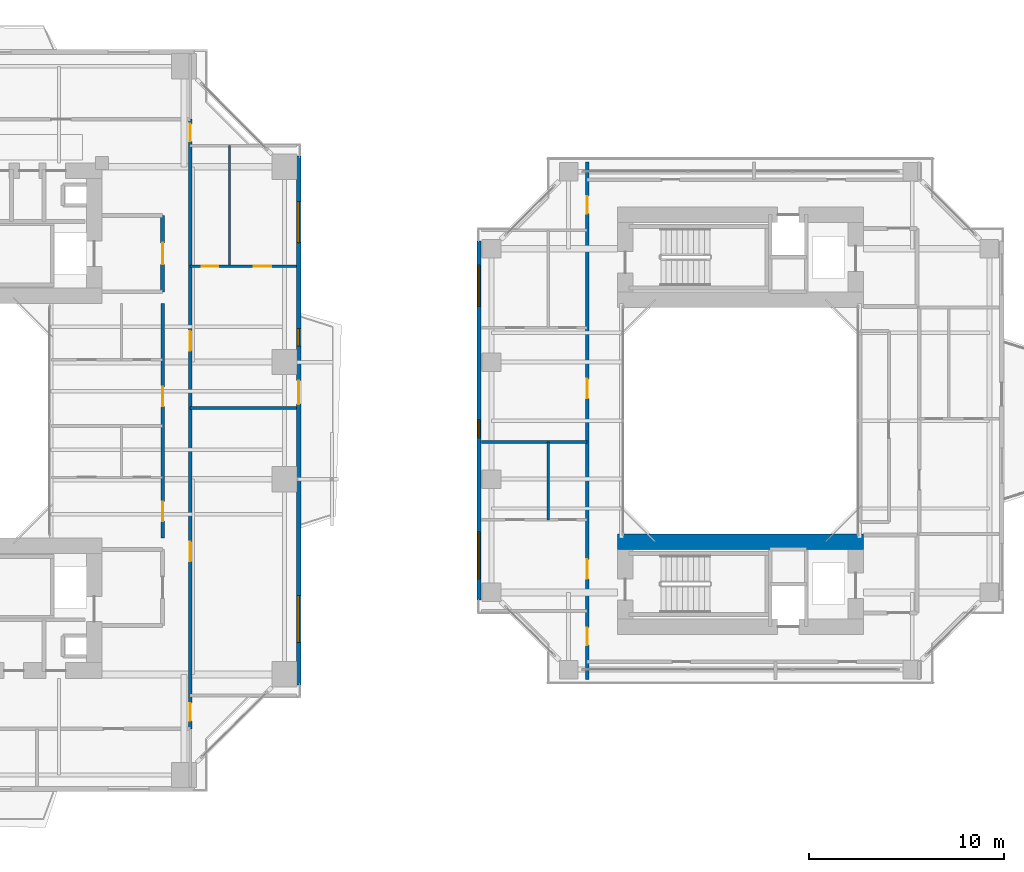
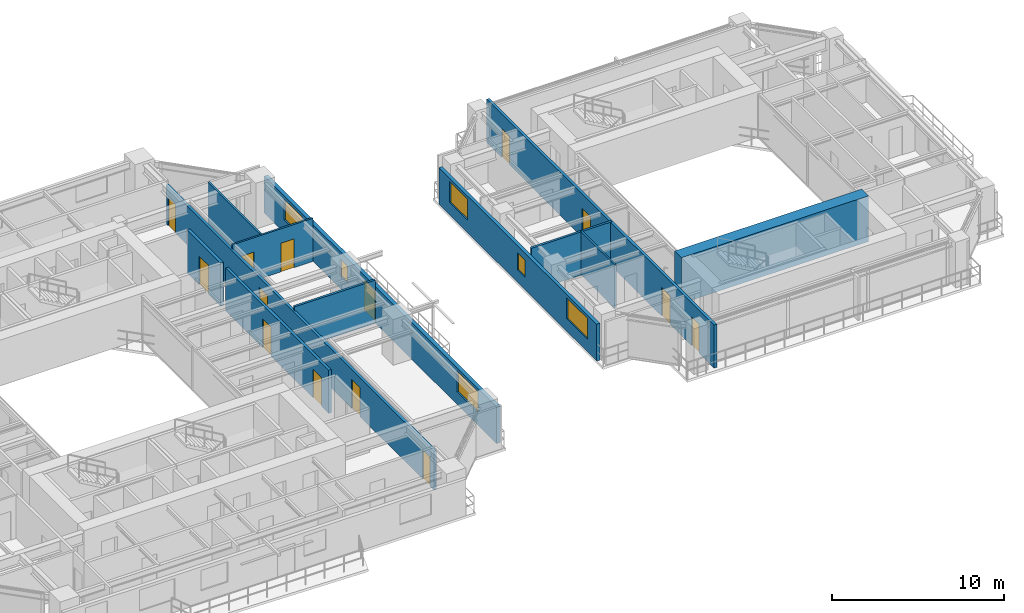
# One storey, part 15 of 23: 14 doors, 12 walls, 6 windows, 20 openings.
"""IFC4 building model written with IfcOpenShell, lengths in metres."""

from ifc_helpers import new_model, si_unit, direction, frame, frame_2d, origin, place, context, subcontext, project, spatial, rectangle, extrude, source, transform, mapped, material, layer, layer_set, type_object, element, fill, save


model = new_model("IFC4")

# Units and contexts
model_context = context("Model", 3, precision=1e-05, world=origin(), true_north=direction((0.0, 1.0)))
body_context = subcontext(model_context, "Body", "Model", "MODEL_VIEW")
ifc_project = project(units=[si_unit("LENGTHUNIT", "METRE"), si_unit("AREAUNIT", "SQUARE_METRE"), si_unit("VOLUMEUNIT", "CUBIC_METRE"), si_unit("PLANEANGLEUNIT", "RADIAN"), si_unit("MASSUNIT", "GRAM", prefix="KILO"), si_unit("THERMODYNAMICTEMPERATUREUNIT", "KELVIN"), si_unit("POWERUNIT", "WATT")], contexts=[model_context])

# Site, building, storey
site_placement = place(None, origin())
site = spatial("IfcSite", under=ifc_project, at=site_placement, CompositionType="ELEMENT")
building_placement = place(site_placement, origin())
building = spatial("IfcBuilding", under=site, at=building_placement, Name="Qiaomeng Ring Towers", CompositionType="ELEMENT")
storey_placement = place(building_placement, frame((0.0, 0.0, 29.5)))
storey = spatial("IfcBuildingStorey", under=building, at=storey_placement, Name="L07", CompositionType="ELEMENT", Elevation=29.5)

# Wall, openings, windows, door
ifc_material_1 = material(Name="Precast concrete C40", Category="concrete")
ifc_layer_1 = layer(ifc_material_1, 0.25, Name="Precast concrete C40")
ifc_layer_set_1 = layer_set([ifc_layer_1], Name="Precast concrete C40")
wall_type_1 = type_object("IfcWallType", Name="ARC-WL-EW1", PredefinedType="STANDARD", material=ifc_layer_set_1)
wall_1_placement = place(storey_placement, frame((37.875, 9.449951171875, 0.0), z_axis=(0.0, 0.0, 1.0), x_axis=(0.0, 1.0, 0.0)))
wall_1 = element("IfcWall", 1, at=wall_1_placement, inside=storey, type_object=wall_type_1, Name="L07 Tower 1 E Exterior Wall", PredefinedType="STANDARD", context=body_context, shape_type="SweptSolid", body=[
    extrude(rectangle(XDim=27.10009765625, YDim=0.25, at=frame_2d((13.550048828125, 0.0))), origin(), (0.0, 0.0, 1.0), 2.610107421875),
])
opening_1_placement = place(wall_1_placement, frame((14.39990234375, 0.0, 0.0)))
opening_1 = element("IfcOpeningElement", 2, at=opening_1_placement, cuts=wall_1, Name="Opening BD1", PredefinedType="OPENING", context=body_context, shape_type="SweptSolid", body=[
    extrude(rectangle(XDim=1.199951171875, YDim=2.10009765625, at=frame_2d((0.60009765625, 1.050048828125))), frame((0.0, 0.135009765625, 0.0), z_axis=(0.0, -1.0, 0.0), x_axis=(1.0, 0.0, 0.0)), (0.0, 0.0, 1.0), 0.27001953125),
])
opening_2_placement = place(wall_1_placement, frame((2.18798828125, 0.0, 0.89990234375)))
opening_2 = element("IfcOpeningElement", 3, at=opening_2_placement, cuts=wall_1, Name="Opening WN6", PredefinedType="OPENING", context=body_context, shape_type="SweptSolid", body=[
    extrude(rectangle(XDim=2.39990234375, YDim=1.47998046875, at=frame_2d((1.199951171875, 0.739990234375))), frame((0.0, 0.135009765625, 0.0), z_axis=(0.0, -1.0, 0.0), x_axis=(1.0, 0.0, 0.0)), (0.0, 0.0, 1.0), 0.27001953125),
])
opening_3_placement = place(wall_1_placement, frame((22.6630859375, 0.0, 0.89990234375)))
opening_3 = element("IfcOpeningElement", 4, at=opening_3_placement, cuts=wall_1, Name="Opening WN4", PredefinedType="OPENING", context=body_context, shape_type="SweptSolid", body=[
    extrude(rectangle(XDim=2.10009765625, YDim=1.47998046875, at=frame_2d((1.050048828125, 0.739990234375))), frame((0.0, 0.135009765625, 0.0), z_axis=(0.0, -1.0, 0.0), x_axis=(1.0, 0.0, 0.0)), (0.0, 0.0, 1.0), 0.27001953125),
])
opening_4_placement = place(wall_1_placement, frame((17.364990234375, 0.0, 0.89990234375)))
opening_4 = element("IfcOpeningElement", 5, at=opening_4_placement, cuts=wall_1, Name="Opening WN5", PredefinedType="OPENING", context=body_context, shape_type="SweptSolid", body=[
    extrude(rectangle(XDim=0.89990234375, YDim=1.199951171875, at=frame_2d((0.449951171875, 0.60009765625))), frame((0.0, 0.135009765625, 0.0), z_axis=(0.0, -1.0, 0.0), x_axis=(1.0, 0.0, 0.0)), (0.0, 0.0, 1.0), 0.27001953125),
])
ifc_material_2 = material(Name="Low-E dark-grey laminated double glazing", Category="glass")
window_type_1 = type_object("IfcWindowType", Name="ARC-WN-4", PartitioningType="TRIPLE_PANEL_VERTICAL", PredefinedType="WINDOW", material=ifc_material_2)
shared_shape_1 = source(origin(), body_context, "Body", "SweptSolid", [
    extrude(rectangle(XDim=2.10009765625, YDim=1.47998046875, at=frame_2d((1.050048828125, 0.739990234375))), frame((0.0, 0.030029296875, 0.0), z_axis=(0.0, -1.0, 0.0), x_axis=(1.0, 0.0, 0.0)), (0.0, 0.0, 1.0), 0.06005859375),
])
window_1_placement = place(opening_3_placement, origin())
window_1 = element("IfcWindow", 6, at=window_1_placement, inside=storey, type_object=window_type_1, Name="L07 Exterior Window WN4", OverallHeight=1.47998046875, OverallWidth=2.10009765625, PartitioningType="TRIPLE_PANEL_VERTICAL", PredefinedType="WINDOW", context=body_context, shape_type="MappedRepresentation", body=[
    mapped(shared_shape_1, transform((0.0, 0.0, 0.0), x_axis=(1.0, 0.0, 0.0), y_axis=(0.0, 1.0, 0.0), z_axis=(0.0, 0.0, 1.0), scale=1.0)),
])
fill(opening_3, window_1)
window_type_2 = type_object("IfcWindowType", Name="ARC-WN-6", PartitioningType="TRIPLE_PANEL_VERTICAL", PredefinedType="WINDOW", material=ifc_material_2)
shared_shape_2 = source(origin(), body_context, "Body", "SweptSolid", [
    extrude(rectangle(XDim=2.39990234375, YDim=1.47998046875, at=frame_2d((1.199951171875, 0.739990234375))), frame((0.0, 0.030029296875, 0.0), z_axis=(0.0, -1.0, 0.0), x_axis=(1.0, 0.0, 0.0)), (0.0, 0.0, 1.0), 0.06005859375),
])
window_2_placement = place(opening_2_placement, origin())
window_2 = element("IfcWindow", 7, at=window_2_placement, inside=storey, type_object=window_type_2, Name="L07 Exterior Window WN6", OverallHeight=1.47998046875, OverallWidth=2.39990234375, PartitioningType="TRIPLE_PANEL_VERTICAL", PredefinedType="WINDOW", context=body_context, shape_type="MappedRepresentation", body=[
    mapped(shared_shape_2, transform((0.0, 0.0, 0.0), x_axis=(1.0, 0.0, 0.0), y_axis=(0.0, 1.0, 0.0), z_axis=(0.0, 0.0, 1.0), scale=1.0)),
])
fill(opening_2, window_2)
door_type_1 = type_object("IfcDoorType", Name="ARC-DR-BD1", OperationType="NOTDEFINED", PredefinedType="DOOR", material=ifc_material_2)
shared_shape_3 = source(origin(), body_context, "Body", "SweptSolid", [
    extrude(rectangle(XDim=1.199951171875, YDim=2.10009765625, at=frame_2d((0.60009765625, 1.050048828125))), frame((0.0, 0.02490234375, 0.0), z_axis=(0.0, -1.0, 0.0), x_axis=(1.0, 0.0, 0.0)), (0.0, 0.0, 1.0), 0.050048828125),
])
door_1_placement = place(opening_1_placement, origin())
door_1 = element("IfcDoor", 8, at=door_1_placement, inside=storey, type_object=door_type_1, Name="L07 E Balcony Glazed Door", OperationType="SINGLE_SWING_LEFT", OverallHeight=2.10009765625, OverallWidth=1.199951171875, PredefinedType="DOOR", context=body_context, shape_type="MappedRepresentation", body=[
    mapped(shared_shape_3, transform((0.0, 0.0, 0.0), x_axis=(1.0, 0.0, 0.0), y_axis=(0.0, 1.0, 0.0), z_axis=(0.0, 0.0, 1.0), scale=1.0)),
])
fill(opening_1, door_1)
window_type_3 = type_object("IfcWindowType", Name="ARC-WN-5", PartitioningType="SINGLE_PANEL", PredefinedType="WINDOW", material=ifc_material_2)
shared_shape_4 = source(origin(), body_context, "Body", "SweptSolid", [
    extrude(rectangle(XDim=0.89990234375, YDim=1.199951171875, at=frame_2d((0.449951171875, 0.60009765625))), frame((0.0, 0.030029296875, 0.0), z_axis=(0.0, -1.0, 0.0), x_axis=(1.0, 0.0, 0.0)), (0.0, 0.0, 1.0), 0.06005859375),
])
window_3_placement = place(opening_4_placement, origin())
window_3 = element("IfcWindow", 9, at=window_3_placement, inside=storey, type_object=window_type_3, Name="L07 Exterior Window WN5", OverallHeight=1.199951171875, OverallWidth=0.89990234375, PartitioningType="SINGLE_PANEL", PredefinedType="WINDOW", context=body_context, shape_type="MappedRepresentation", body=[
    mapped(shared_shape_4, transform((0.0, 0.0, 0.0), x_axis=(1.0, 0.0, 0.0), y_axis=(0.0, 1.0, 0.0), z_axis=(0.0, 0.0, 1.0), scale=1.0)),
])
fill(opening_4, window_3)

# Wall, openings, windows
ifc_layer_2 = layer(ifc_material_1, 0.219970703125, Name="Precast concrete C40")
ifc_layer_set_2 = layer_set([ifc_layer_2], Name="Precast concrete C40")
wall_type_2 = type_object("IfcWallType", Name="ARC-WL-EW2", PredefinedType="STANDARD", material=ifc_layer_set_2)
wall_2_placement = place(storey_placement, frame((47.110107421875, 13.800048828125, 0.0), z_axis=(0.0, 0.0, 1.0), x_axis=(0.0, 1.0, 0.0)))
wall_2 = element("IfcWall", 10, at=wall_2_placement, inside=storey, type_object=wall_type_2, Name="L07 Companion West Wall", PredefinedType="STANDARD", context=body_context, shape_type="SweptSolid", body=[
    extrude(rectangle(XDim=18.39990234375, YDim=0.219970703125, at=frame_2d((9.199951171875, 0.0))), origin(), (0.0, 0.0, 1.0), 2.610107421875),
])
opening_5_placement = place(wall_2_placement, frame((1.10009765625, 0.0, 0.89990234375)))
opening_5 = element("IfcOpeningElement", 11, at=opening_5_placement, cuts=wall_2, Name="Opening WN6", PredefinedType="OPENING", context=body_context, shape_type="SweptSolid", body=[
    extrude(rectangle(XDim=2.39990234375, YDim=1.47998046875, at=frame_2d((1.199951171875, 0.739990234375))), frame((0.0, 0.119873046875, 0.0), z_axis=(0.0, -1.0, 0.0), x_axis=(1.0, 0.0, 0.0)), (0.0, 0.0, 1.0), 0.239990234375),
])
opening_6_placement = place(wall_2_placement, frame((15.050048828125, 0.0, 0.89990234375)))
opening_6 = element("IfcOpeningElement", 12, at=opening_6_placement, cuts=wall_2, Name="Opening WN4", PredefinedType="OPENING", context=body_context, shape_type="SweptSolid", body=[
    extrude(rectangle(XDim=2.10009765625, YDim=1.47998046875, at=frame_2d((1.050048828125, 0.739990234375))), frame((0.0, 0.119873046875, 0.0), z_axis=(0.0, -1.0, 0.0), x_axis=(1.0, 0.0, 0.0)), (0.0, 0.0, 1.0), 0.239990234375),
])
opening_7_placement = place(wall_2_placement, frame((8.3349609375, 0.0, 0.89990234375)))
opening_7 = element("IfcOpeningElement", 13, at=opening_7_placement, cuts=wall_2, Name="Opening WN5", PredefinedType="OPENING", context=body_context, shape_type="SweptSolid", body=[
    extrude(rectangle(XDim=0.89990234375, YDim=1.199951171875, at=frame_2d((0.449951171875, 0.60009765625))), frame((0.0, 0.119873046875, 0.0), z_axis=(0.0, -1.0, 0.0), x_axis=(1.0, 0.0, 0.0)), (0.0, 0.0, 1.0), 0.239990234375),
])
window_4_placement = place(opening_6_placement, origin())
window_4 = element("IfcWindow", 14, at=window_4_placement, inside=storey, type_object=window_type_1, Name="L07 Exterior Window WN4", OverallHeight=1.47998046875, OverallWidth=2.10009765625, PartitioningType="TRIPLE_PANEL_VERTICAL", PredefinedType="WINDOW", context=body_context, shape_type="MappedRepresentation", body=[
    mapped(shared_shape_1, transform((0.0, 0.0, 0.0), x_axis=(1.0, 0.0, 0.0), y_axis=(0.0, 1.0, 0.0), z_axis=(0.0, 0.0, 1.0), scale=1.0)),
])
fill(opening_6, window_4)
window_5_placement = place(opening_5_placement, origin())
window_5 = element("IfcWindow", 15, at=window_5_placement, inside=storey, type_object=window_type_2, Name="L07 Exterior Window WN6", OverallHeight=1.47998046875, OverallWidth=2.39990234375, PartitioningType="TRIPLE_PANEL_VERTICAL", PredefinedType="WINDOW", context=body_context, shape_type="MappedRepresentation", body=[
    mapped(shared_shape_2, transform((0.0, 0.0, 0.0), x_axis=(1.0, 0.0, 0.0), y_axis=(0.0, 1.0, 0.0), z_axis=(0.0, 0.0, 1.0), scale=1.0)),
])
fill(opening_5, window_5)
window_6_placement = place(opening_7_placement, origin())
window_6 = element("IfcWindow", 16, at=window_6_placement, inside=storey, type_object=window_type_3, Name="L07 Exterior Window WN5", OverallHeight=1.199951171875, OverallWidth=0.89990234375, PartitioningType="SINGLE_PANEL", PredefinedType="WINDOW", context=body_context, shape_type="MappedRepresentation", body=[
    mapped(shared_shape_4, transform((0.0, 0.0, 0.0), x_axis=(1.0, 0.0, 0.0), y_axis=(0.0, 1.0, 0.0), z_axis=(0.0, 0.0, 1.0), scale=1.0)),
])
fill(opening_7, window_6)

# Wall, opening, door
ifc_material_3 = material(Name="Autoclaved aerated concrete block", Category="concrete")
ifc_layer_3 = layer(ifc_material_3, 0.199951171875, Name="Autoclaved aerated concrete block")
ifc_layer_set_3 = layer_set([ifc_layer_3], Name="Autoclaved aerated concrete block")
wall_type_3 = type_object("IfcWallType", Name="ARC-WL-PW1", PredefinedType="PARTITIONING", material=ifc_layer_set_3)
wall_3_placement = place(storey_placement, frame((30.89990234375, 29.60009765625, 0.0), z_axis=(0.0, 0.0, 1.0), x_axis=(0.0, 1.0, 0.0)))
wall_3 = element("IfcWall", 17, at=wall_3_placement, inside=storey, type_object=wall_type_3, Name="L07 Interior Wall PW1", PredefinedType="PARTITIONING", context=body_context, shape_type="SweptSolid", body=[
    extrude(rectangle(XDim=3.89990234375, YDim=0.199951171875, at=frame_2d((1.949951171875, 0.0))), origin(), (0.0, 0.0, 1.0), 3.070068359375),
])
opening_8_placement = place(wall_3_placement, frame((1.39990234375, 0.0, 0.0)))
opening_8 = element("IfcOpeningElement", 18, at=opening_8_placement, cuts=wall_3, Name="Opening FD3", PredefinedType="OPENING", context=body_context, shape_type="SweptSolid", body=[
    extrude(rectangle(XDim=1.10009765625, YDim=2.050048828125, at=frame_2d((0.550048828125, 1.02490234375))), frame((0.0, 0.10986328125, 0.0), z_axis=(0.0, -1.0, 0.0), x_axis=(1.0, 0.0, 0.0)), (0.0, 0.0, 1.0), 0.219970703125),
])
ifc_material_4 = material(Name="Galvanised steel", Category="steel")
door_type_2 = type_object("IfcDoorType", Name="ARC-DR-FD3", OperationType="NOTDEFINED", PredefinedType="DOOR", material=ifc_material_4)
shared_shape_5 = source(origin(), body_context, "Body", "SweptSolid", [
    extrude(rectangle(XDim=1.10009765625, YDim=2.050048828125, at=frame_2d((0.550048828125, 1.02490234375))), frame((0.0, 0.02490234375, 0.0), z_axis=(0.0, -1.0, 0.0), x_axis=(1.0, 0.0, 0.0)), (0.0, 0.0, 1.0), 0.050048828125),
])
door_2_placement = place(opening_8_placement, origin())
door_2 = element("IfcDoor", 19, at=door_2_placement, inside=storey, type_object=door_type_2, Name="L07 North FF Lobby Door", OperationType="SINGLE_SWING_LEFT", OverallHeight=2.050048828125, OverallWidth=1.10009765625, PredefinedType="DOOR", context=body_context, shape_type="MappedRepresentation", body=[
    mapped(shared_shape_5, transform((0.0, 0.0, 0.0), x_axis=(1.0, 0.0, 0.0), y_axis=(0.0, 1.0, 0.0), z_axis=(0.0, 0.0, 1.0), scale=1.0)),
])
fill(opening_8, door_2)

# Wall, openings, doors
ifc_layer_4 = layer(ifc_material_3, 0.179931640625, Name="Autoclaved aerated concrete block")
ifc_layer_set_4 = layer_set([ifc_layer_4], Name="Autoclaved aerated concrete block")
wall_type_4 = type_object("IfcWallType", Name="ARC-WL-PW2", PredefinedType="PARTITIONING", material=ifc_layer_set_4)
wall_4_placement = place(storey_placement, frame((32.320068359375, 7.2099609375, 0.0), z_axis=(0.0, 0.0, 1.0), x_axis=(0.0, 1.0, 0.0)))
wall_4 = element("IfcWall", 20, at=wall_4_placement, inside=storey, type_object=wall_type_4, Name="L07 Interior Wall PW2", PredefinedType="PARTITIONING", context=body_context, shape_type="SweptSolid", body=[
    extrude(rectangle(XDim=31.22998046875, YDim=0.179931640625, at=frame_2d((15.614990234375, 0.0))), origin(), (0.0, 0.0, 1.0), 2.764892578125),
])
opening_9_placement = place(wall_4_placement, frame((30.090087890625, 0.0, 0.0)))
opening_9 = element("IfcOpeningElement", 21, at=opening_9_placement, cuts=wall_4, Name="Opening ID1", PredefinedType="OPENING", context=body_context, shape_type="SweptSolid", body=[
    extrude(rectangle(XDim=0.89990234375, YDim=2.050048828125, at=frame_2d((0.449951171875, 1.02490234375))), frame((0.0, 0.099853515625, 0.0), z_axis=(0.0, -1.0, 0.0), x_axis=(1.0, 0.0, 0.0)), (0.0, 0.0, 1.0), 0.199951171875),
])
opening_10_placement = place(wall_4_placement, frame((0.4150390625, 0.0, 0.0)))
opening_10 = element("IfcOpeningElement", 22, at=opening_10_placement, cuts=wall_4, Name="Opening ID1", PredefinedType="OPENING", context=body_context, shape_type="SweptSolid", body=[
    extrude(rectangle(XDim=0.89990234375, YDim=2.050048828125, at=frame_2d((0.449951171875, 1.02490234375))), frame((0.0, 0.099853515625, 0.0), z_axis=(0.0, -1.0, 0.0), x_axis=(1.0, 0.0, 0.0)), (0.0, 0.0, 1.0), 0.199951171875),
])
opening_11_placement = place(wall_4_placement, frame((8.574951171875, 0.0, 0.0)))
opening_11 = element("IfcOpeningElement", 23, at=opening_11_placement, cuts=wall_4, Name="Opening FD4", PredefinedType="OPENING", context=body_context, shape_type="SweptSolid", body=[
    extrude(rectangle(XDim=1.0, YDim=2.050048828125, at=frame_2d((0.5, 1.02490234375))), frame((0.0, 0.099853515625, 0.0), z_axis=(0.0, -1.0, 0.0), x_axis=(1.0, 0.0, 0.0)), (0.0, 0.0, 1.0), 0.199951171875),
])
opening_12_placement = place(wall_4_placement, frame((19.375, 0.0, 0.0)))
opening_12 = element("IfcOpeningElement", 24, at=opening_12_placement, cuts=wall_4, Name="Opening FD4", PredefinedType="OPENING", context=body_context, shape_type="SweptSolid", body=[
    extrude(rectangle(XDim=1.0, YDim=2.050048828125, at=frame_2d((0.5, 1.02490234375))), frame((0.0, 0.099853515625, 0.0), z_axis=(0.0, -1.0, 0.0), x_axis=(1.0, 0.0, 0.0)), (0.0, 0.0, 1.0), 0.199951171875),
])
ifc_material_5 = material(Name="Engineered fire-rated oak timber", Category="wood")
door_type_3 = type_object("IfcDoorType", Name="ARC-DR-FD4", OperationType="NOTDEFINED", PredefinedType="DOOR", material=ifc_material_5)
shared_shape_6 = source(origin(), body_context, "Body", "SweptSolid", [
    extrude(rectangle(XDim=1.0, YDim=2.050048828125, at=frame_2d((0.5, 1.02490234375))), frame((0.0, 0.02490234375, 0.0), z_axis=(0.0, -1.0, 0.0), x_axis=(1.0, 0.0, 0.0)), (0.0, 0.0, 1.0), 0.050048828125),
])
door_3_placement = place(opening_11_placement, origin())
door_3 = element("IfcDoor", 25, at=door_3_placement, inside=storey, type_object=door_type_3, Name="L07 Door FD4", OperationType="SINGLE_SWING_RIGHT", OverallHeight=2.050048828125, OverallWidth=1.0, PredefinedType="DOOR", context=body_context, shape_type="MappedRepresentation", body=[
    mapped(shared_shape_6, transform((0.0, 0.0, 0.0), x_axis=(1.0, 0.0, 0.0), y_axis=(0.0, 1.0, 0.0), z_axis=(0.0, 0.0, 1.0), scale=1.0)),
])
fill(opening_11, door_3)
door_4_placement = place(opening_12_placement, origin())
door_4 = element("IfcDoor", 26, at=door_4_placement, inside=storey, type_object=door_type_3, Name="L07 Door FD4", OperationType="SINGLE_SWING_LEFT", OverallHeight=2.050048828125, OverallWidth=1.0, PredefinedType="DOOR", context=body_context, shape_type="MappedRepresentation", body=[
    mapped(shared_shape_6, transform((0.0, 0.0, 0.0), x_axis=(1.0, 0.0, 0.0), y_axis=(0.0, 1.0, 0.0), z_axis=(0.0, 0.0, 1.0), scale=1.0)),
])
fill(opening_12, door_4)
ifc_material_6 = material(Name="Engineered oak timber", Category="wood")
door_type_4 = type_object("IfcDoorType", Name="ARC-DR-ID1", OperationType="NOTDEFINED", PredefinedType="DOOR", material=ifc_material_6)
shared_shape_7 = source(origin(), body_context, "Body", "SweptSolid", [
    extrude(rectangle(XDim=0.89990234375, YDim=2.050048828125, at=frame_2d((0.449951171875, 1.02490234375))), frame((0.0, 0.02490234375, 0.0), z_axis=(0.0, -1.0, 0.0), x_axis=(1.0, 0.0, 0.0)), (0.0, 0.0, 1.0), 0.050048828125),
])
door_5_placement = place(opening_9_placement, origin())
door_5 = element("IfcDoor", 27, at=door_5_placement, inside=storey, type_object=door_type_4, Name="L07 Door ID1", OperationType="SINGLE_SWING_RIGHT", OverallHeight=2.050048828125, OverallWidth=0.89990234375, PredefinedType="DOOR", context=body_context, shape_type="MappedRepresentation", body=[
    mapped(shared_shape_7, transform((0.0, 0.0, 0.0), x_axis=(1.0, 0.0, 0.0), y_axis=(0.0, 1.0, 0.0), z_axis=(0.0, 0.0, 1.0), scale=1.0)),
])
fill(opening_9, door_5)
door_6_placement = place(opening_10_placement, origin())
door_6 = element("IfcDoor", 28, at=door_6_placement, inside=storey, type_object=door_type_4, Name="L07 Door ID1", OperationType="SINGLE_SWING_LEFT", OverallHeight=2.050048828125, OverallWidth=0.89990234375, PredefinedType="DOOR", context=body_context, shape_type="MappedRepresentation", body=[
    mapped(shared_shape_7, transform((0.0, 0.0, 0.0), x_axis=(1.0, 0.0, 0.0), y_axis=(0.0, 1.0, 0.0), z_axis=(0.0, 0.0, 1.0), scale=1.0)),
])
fill(opening_10, door_6)

wall_5_placement = place(storey_placement, frame((30.89990234375, 17.0, 0.0), z_axis=(0.0, 0.0, 1.0), x_axis=(0.0, 1.0, 0.0)))
wall_5 = element("IfcWall", 29, at=wall_5_placement, inside=storey, type_object=wall_type_4, Name="L07 Interior Wall PW2", PredefinedType="PARTITIONING", context=body_context, shape_type="SweptSolid", body=[
    extrude(rectangle(XDim=12.0, YDim=0.179931640625, at=frame_2d((6.0, 0.0))), origin(), (0.0, 0.0, 1.0), 3.070068359375),
])
opening_13_placement = place(wall_5_placement, frame((0.85498046875, 0.0, 0.0)))
opening_13 = element("IfcOpeningElement", 30, at=opening_13_placement, cuts=wall_5, Name="Opening FD4", PredefinedType="OPENING", context=body_context, shape_type="SweptSolid", body=[
    extrude(rectangle(XDim=1.0, YDim=2.050048828125, at=frame_2d((0.5, 1.02490234375))), frame((0.0, 0.099853515625, 0.0), z_axis=(0.0, -1.0, 0.0), x_axis=(1.0, 0.0, 0.0)), (0.0, 0.0, 1.0), 0.199951171875),
])
opening_14_placement = place(wall_5_placement, frame((6.72509765625, 0.0, 0.0)))
opening_14 = element("IfcOpeningElement", 31, at=opening_14_placement, cuts=wall_5, Name="Opening FD4", PredefinedType="OPENING", context=body_context, shape_type="SweptSolid", body=[
    extrude(rectangle(XDim=1.0, YDim=2.050048828125, at=frame_2d((0.5, 1.02490234375))), frame((0.0, 0.099853515625, 0.0), z_axis=(0.0, -1.0, 0.0), x_axis=(1.0, 0.0, 0.0)), (0.0, 0.0, 1.0), 0.199951171875),
])
door_7_placement = place(opening_13_placement, origin())
door_7 = element("IfcDoor", 32, at=door_7_placement, inside=storey, type_object=door_type_3, Name="L07 Door FD4", OperationType="SINGLE_SWING_RIGHT", OverallHeight=2.050048828125, OverallWidth=1.0, PredefinedType="DOOR", context=body_context, shape_type="MappedRepresentation", body=[
    mapped(shared_shape_6, transform((0.0, 0.0, 0.0), x_axis=(1.0, 0.0, 0.0), y_axis=(0.0, 1.0, 0.0), z_axis=(0.0, 0.0, 1.0), scale=1.0)),
])
fill(opening_13, door_7)
door_8_placement = place(opening_14_placement, origin())
door_8 = element("IfcDoor", 33, at=door_8_placement, inside=storey, type_object=door_type_3, Name="L07 Door FD4", OperationType="SINGLE_SWING_LEFT", OverallHeight=2.050048828125, OverallWidth=1.0, PredefinedType="DOOR", context=body_context, shape_type="MappedRepresentation", body=[
    mapped(shared_shape_6, transform((0.0, 0.0, 0.0), x_axis=(1.0, 0.0, 0.0), y_axis=(0.0, 1.0, 0.0), z_axis=(0.0, 0.0, 1.0), scale=1.0)),
])
fill(opening_14, door_8)

wall_6_placement = place(storey_placement, frame((52.64990234375, 9.75, 0.0), z_axis=(0.0, 0.0, 1.0), x_axis=(0.0, 1.0, 0.0)))
wall_6 = element("IfcWall", 34, at=wall_6_placement, inside=storey, type_object=wall_type_4, Name="L07 Interior Wall PW2", PredefinedType="PARTITIONING", context=body_context, shape_type="SweptSolid", body=[
    extrude(rectangle(XDim=26.5, YDim=0.179931640625, at=frame_2d((13.25, 0.0))), origin(), (0.0, 0.0, 1.0), 3.070068359375),
])
opening_15_placement = place(wall_6_placement, frame((23.85009765625, 0.0, 0.0)))
opening_15 = element("IfcOpeningElement", 35, at=opening_15_placement, cuts=wall_6, Name="Opening ID1", PredefinedType="OPENING", context=body_context, shape_type="SweptSolid", body=[
    extrude(rectangle(XDim=0.89990234375, YDim=2.050048828125, at=frame_2d((0.449951171875, 1.02490234375))), frame((0.0, 0.099853515625, 0.0), z_axis=(0.0, -1.0, 0.0), x_axis=(1.0, 0.0, 0.0)), (0.0, 0.0, 1.0), 0.199951171875),
])
opening_16_placement = place(wall_6_placement, frame((1.75, 0.0, 0.0)))
opening_16 = element("IfcOpeningElement", 36, at=opening_16_placement, cuts=wall_6, Name="Opening ID1", PredefinedType="OPENING", context=body_context, shape_type="SweptSolid", body=[
    extrude(rectangle(XDim=0.89990234375, YDim=2.050048828125, at=frame_2d((0.449951171875, 1.02490234375))), frame((0.0, 0.099853515625, 0.0), z_axis=(0.0, -1.0, 0.0), x_axis=(1.0, 0.0, 0.0)), (0.0, 0.0, 1.0), 0.199951171875),
])
opening_17_placement = place(wall_6_placement, frame((5.14501953125, 0.0, 0.0)))
opening_17 = element("IfcOpeningElement", 37, at=opening_17_placement, cuts=wall_6, Name="Opening FD4", PredefinedType="OPENING", context=body_context, shape_type="SweptSolid", body=[
    extrude(rectangle(XDim=1.0, YDim=2.050048828125, at=frame_2d((0.5, 1.02490234375))), frame((0.0, 0.099853515625, 0.0), z_axis=(0.0, -1.0, 0.0), x_axis=(1.0, 0.0, 0.0)), (0.0, 0.0, 1.0), 0.199951171875),
])
opening_18_placement = place(wall_6_placement, frame((14.389892578125, 0.0, 0.0)))
opening_18 = element("IfcOpeningElement", 38, at=opening_18_placement, cuts=wall_6, Name="Opening FD4", PredefinedType="OPENING", context=body_context, shape_type="SweptSolid", body=[
    extrude(rectangle(XDim=1.0, YDim=2.050048828125, at=frame_2d((0.5, 1.02490234375))), frame((0.0, 0.099853515625, 0.0), z_axis=(0.0, -1.0, 0.0), x_axis=(1.0, 0.0, 0.0)), (0.0, 0.0, 1.0), 0.199951171875),
])
door_9_placement = place(opening_17_placement, origin())
door_9 = element("IfcDoor", 39, at=door_9_placement, inside=storey, type_object=door_type_3, Name="L07 Door FD4", OperationType="SINGLE_SWING_RIGHT", OverallHeight=2.050048828125, OverallWidth=1.0, PredefinedType="DOOR", context=body_context, shape_type="MappedRepresentation", body=[
    mapped(shared_shape_6, transform((0.0, 0.0, 0.0), x_axis=(1.0, 0.0, 0.0), y_axis=(0.0, 1.0, 0.0), z_axis=(0.0, 0.0, 1.0), scale=1.0)),
])
fill(opening_17, door_9)
door_10_placement = place(opening_18_placement, origin())
door_10 = element("IfcDoor", 40, at=door_10_placement, inside=storey, type_object=door_type_3, Name="L07 Door FD4", OperationType="SINGLE_SWING_LEFT", OverallHeight=2.050048828125, OverallWidth=1.0, PredefinedType="DOOR", context=body_context, shape_type="MappedRepresentation", body=[
    mapped(shared_shape_6, transform((0.0, 0.0, 0.0), x_axis=(1.0, 0.0, 0.0), y_axis=(0.0, 1.0, 0.0), z_axis=(0.0, 0.0, 1.0), scale=1.0)),
])
fill(opening_18, door_10)
door_11_placement = place(opening_15_placement, origin())
door_11 = element("IfcDoor", 41, at=door_11_placement, inside=storey, type_object=door_type_4, Name="L07 Door ID1", OperationType="SINGLE_SWING_RIGHT", OverallHeight=2.050048828125, OverallWidth=0.89990234375, PredefinedType="DOOR", context=body_context, shape_type="MappedRepresentation", body=[
    mapped(shared_shape_7, transform((0.0, 0.0, 0.0), x_axis=(1.0, 0.0, 0.0), y_axis=(0.0, 1.0, 0.0), z_axis=(0.0, 0.0, 1.0), scale=1.0)),
])
fill(opening_15, door_11)
door_12_placement = place(opening_16_placement, origin())
door_12 = element("IfcDoor", 42, at=door_12_placement, inside=storey, type_object=door_type_4, Name="L07 Door ID1", OperationType="SINGLE_SWING_LEFT", OverallHeight=2.050048828125, OverallWidth=0.89990234375, PredefinedType="DOOR", context=body_context, shape_type="MappedRepresentation", body=[
    mapped(shared_shape_7, transform((0.0, 0.0, 0.0), x_axis=(1.0, 0.0, 0.0), y_axis=(0.0, 1.0, 0.0), z_axis=(0.0, 0.0, 1.0), scale=1.0)),
])
fill(opening_16, door_12)

# Walls
ifc_material_7 = material(Name="Gypsum fireboard steel-stud partition", Category="steel")
ifc_layer_5 = layer(ifc_material_7, 0.14990234375, Name="Gypsum fireboard steel-stud partition")
ifc_layer_set_5 = layer_set([ifc_layer_5], Name="Gypsum fireboard steel-stud partition")
wall_type_5 = type_object("IfcWallType", Name="ARC-WL-PW3", PredefinedType="PARTITIONING", material=ifc_layer_set_5)
wall_7_placement = place(storey_placement, frame((32.320068359375, 23.64990234375, 0.0), z_axis=(0.0, 0.0, 1.0), x_axis=(1.0, 0.0, 0.0)))
element("IfcWall", 43, at=wall_7_placement, inside=storey, type_object=wall_type_5, Name="L07 Interior Wall PW3", PredefinedType="PARTITIONING", context=body_context, shape_type="SweptSolid", body=[
    extrude(rectangle(XDim=5.429931640625, YDim=0.14990234375, at=frame_2d((2.71484375, 0.0))), origin(), (0.0, 0.0, 1.0), 3.070068359375),
])
wall_8_placement = place(storey_placement, frame((47.25, 21.89990234375, 0.0), z_axis=(0.0, 0.0, 1.0), x_axis=(1.0, 0.0, 0.0)))
element("IfcWall", 44, at=wall_8_placement, inside=storey, type_object=wall_type_5, Name="L07 Interior Wall PW3", PredefinedType="PARTITIONING", context=body_context, shape_type="SweptSolid", body=[
    extrude(rectangle(XDim=5.39990234375, YDim=0.14990234375, at=frame_2d((2.699951171875, 0.0))), origin(), (0.0, 0.0, 1.0), 3.070068359375),
])

# Wall, openings, doors
ifc_material_8 = material(Name="Moisture-resistant gypsum steel-stud partition", Category="steel")
ifc_layer_6 = layer(ifc_material_8, 0.1201171875, Name="Moisture-resistant gypsum steel-stud partition")
ifc_layer_set_6 = layer_set([ifc_layer_6], Name="Moisture-resistant gypsum steel-stud partition")
wall_type_6 = type_object("IfcWallType", Name="ARC-WL-PW4", PredefinedType="PLUMBINGWALL", material=ifc_layer_set_6)
wall_9_placement = place(storey_placement, frame((32.320068359375, 30.89990234375, 0.0), z_axis=(0.0, 0.0, 1.0), x_axis=(1.0, 0.0, 0.0)))
wall_9 = element("IfcWall", 45, at=wall_9_placement, inside=storey, type_object=wall_type_6, Name="L07 Interior Wall PW4", PredefinedType="PLUMBINGWALL", context=body_context, shape_type="SweptSolid", body=[
    extrude(rectangle(XDim=5.429931640625, YDim=0.1201171875, at=frame_2d((2.71484375, 0.0))), origin(), (0.0, 0.0, 1.0), 3.070068359375),
])
opening_19_placement = place(wall_9_placement, frame((0.590087890625, 0.0, 0.0)))
opening_19 = element("IfcOpeningElement", 46, at=opening_19_placement, cuts=wall_9, Name="Opening ID2", PredefinedType="OPENING", context=body_context, shape_type="SweptSolid", body=[
    extrude(rectangle(XDim=0.85009765625, YDim=2.050048828125, at=frame_2d((0.425048828125, 1.02490234375))), frame((0.0, 0.070068359375, 0.0), z_axis=(0.0, -1.0, 0.0), x_axis=(1.0, 0.0, 0.0)), (0.0, 0.0, 1.0), 0.14013671875),
])
opening_20_placement = place(wall_9_placement, frame((3.260009765625, 0.0, 0.0)))
opening_20 = element("IfcOpeningElement", 47, at=opening_20_placement, cuts=wall_9, Name="Opening ID1", PredefinedType="OPENING", context=body_context, shape_type="SweptSolid", body=[
    extrude(rectangle(XDim=0.89990234375, YDim=2.050048828125, at=frame_2d((0.449951171875, 1.02490234375))), frame((0.0, 0.070068359375, 0.0), z_axis=(0.0, -1.0, 0.0), x_axis=(1.0, 0.0, 0.0)), (0.0, 0.0, 1.0), 0.14013671875),
])
ifc_material_9 = material(Name="Moisture-resistant engineered timber", Category="wood")
door_type_5 = type_object("IfcDoorType", Name="ARC-DR-ID2", OperationType="NOTDEFINED", PredefinedType="DOOR", material=ifc_material_9)
shared_shape_8 = source(origin(), body_context, "Body", "SweptSolid", [
    extrude(rectangle(XDim=0.85009765625, YDim=2.050048828125, at=frame_2d((0.425048828125, 1.02490234375))), frame((0.0, 0.02490234375, 0.0), z_axis=(0.0, -1.0, 0.0), x_axis=(1.0, 0.0, 0.0)), (0.0, 0.0, 1.0), 0.050048828125),
])
door_13_placement = place(opening_19_placement, origin())
door_13 = element("IfcDoor", 48, at=door_13_placement, inside=storey, type_object=door_type_5, Name="L07 Door ID2", OperationType="SINGLE_SWING_LEFT", OverallHeight=2.050048828125, OverallWidth=0.85009765625, PredefinedType="DOOR", context=body_context, shape_type="MappedRepresentation", body=[
    mapped(shared_shape_8, transform((0.0, 0.0, 0.0), x_axis=(1.0, 0.0, 0.0), y_axis=(0.0, 1.0, 0.0), z_axis=(0.0, 0.0, 1.0), scale=1.0)),
])
fill(opening_19, door_13)
door_14_placement = place(opening_20_placement, origin())
door_14 = element("IfcDoor", 49, at=door_14_placement, inside=storey, type_object=door_type_4, Name="L07 Door ID1", OperationType="SINGLE_SWING_RIGHT", OverallHeight=2.050048828125, OverallWidth=0.89990234375, PredefinedType="DOOR", context=body_context, shape_type="MappedRepresentation", body=[
    mapped(shared_shape_7, transform((0.0, 0.0, 0.0), x_axis=(1.0, 0.0, 0.0), y_axis=(0.0, 1.0, 0.0), z_axis=(0.0, 0.0, 1.0), scale=1.0)),
])
fill(opening_20, door_14)

# Walls
wall_10_placement = place(storey_placement, frame((34.330078125, 30.89990234375, 0.0), z_axis=(0.0, 0.0, 1.0), x_axis=(0.0, 1.0, 0.0)))
element("IfcWall", 50, at=wall_10_placement, inside=storey, type_object=wall_type_6, Name="L07 Interior Wall PW4", PredefinedType="PLUMBINGWALL", context=body_context, shape_type="SweptSolid", body=[
    extrude(rectangle(XDim=6.18017578125, YDim=0.1201171875, at=frame_2d((3.090087890625, 0.0))), origin(), (0.0, 0.0, 1.0), 3.070068359375),
])
wall_11_placement = place(storey_placement, frame((50.64990234375, 17.919921875, 0.0), z_axis=(0.0, 0.0, 1.0), x_axis=(0.0, 1.0, 0.0)))
element("IfcWall", 51, at=wall_11_placement, inside=storey, type_object=wall_type_6, Name="L07 Interior Wall PW4", PredefinedType="PLUMBINGWALL", context=body_context, shape_type="SweptSolid", body=[
    extrude(rectangle(XDim=3.97998046875, YDim=0.1201171875, at=frame_2d((1.989990234375, 0.0))), origin(), (0.0, 0.0, 1.0), 3.070068359375),
])
ifc_material_10 = material(Name="Concrete C60", Category="concrete")
ifc_layer_7 = layer(ifc_material_10, 0.800048828125, Name="Concrete C60")
ifc_layer_set_7 = layer_set([ifc_layer_7], Name="Concrete C60")
wall_type_7 = type_object("IfcWallType", Name="STR-WL-SW1", PredefinedType="SHEAR", material=ifc_layer_set_7)
wall_12_placement = place(storey_placement, frame((54.199951171875, 16.800048828125, 0.0), z_axis=(0.0, 0.0, 1.0), x_axis=(1.0, 0.0, 0.0)))
element("IfcWall", 52, at=wall_12_placement, inside=storey, type_object=wall_type_7, Name="L07 T2SC north core shear wall", PredefinedType="SHEAR", context=body_context, shape_type="SweptSolid", body=[
    extrude(rectangle(XDim=12.60009765625, YDim=0.800048828125, at=frame_2d((6.300048828125, 0.0))), origin(), (0.0, 0.0, 1.0), 3.25),
])

save(model, "model.ifc")
